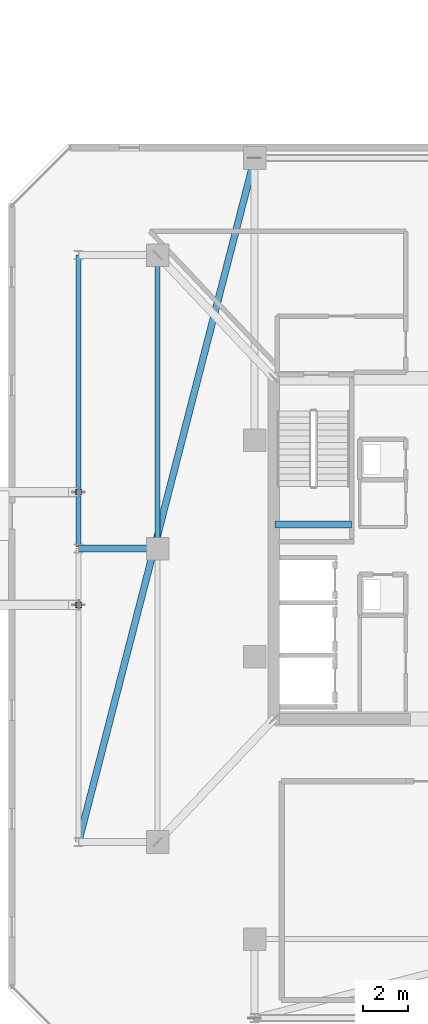
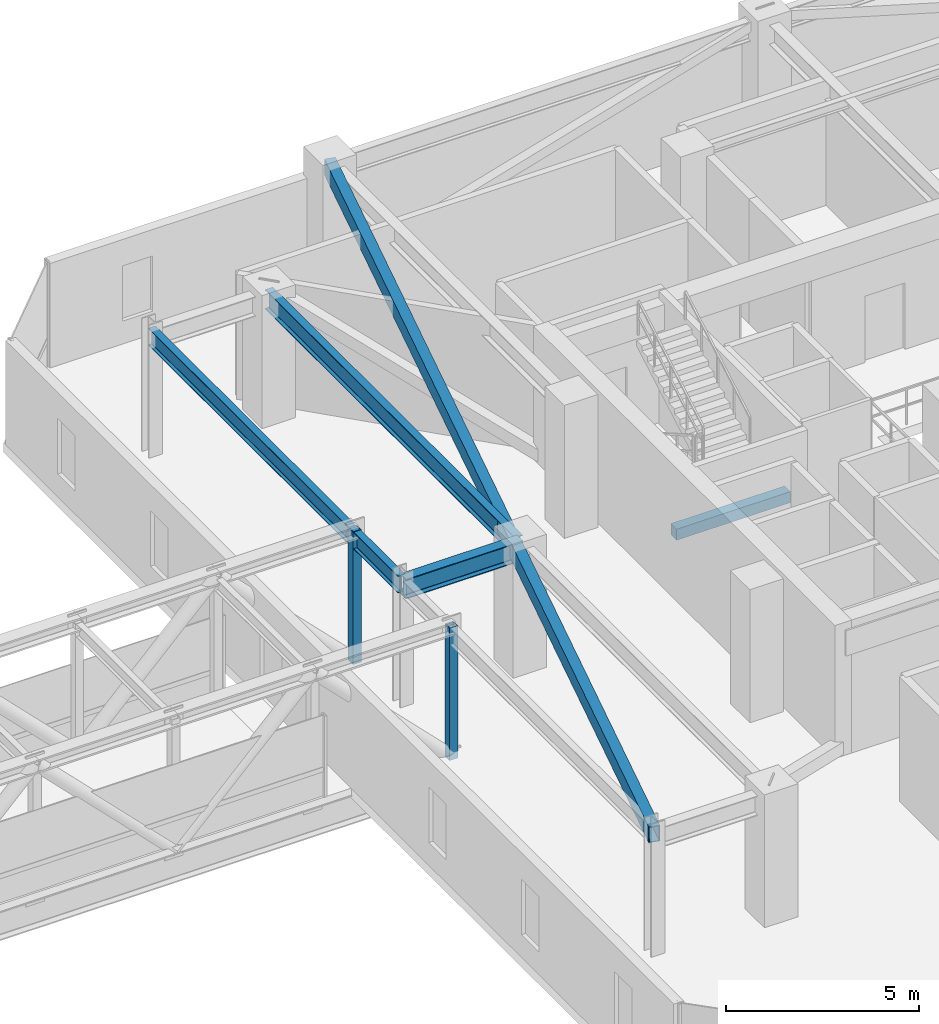
# One storey, part 20 of 42: 5 beams, 2 members.
"""IFC4 building model written with IfcOpenShell, lengths in metres."""

from ifc_helpers import new_model, si_unit, direction, frame, origin, origin_2d, place, context, subcontext, project, spatial, rectangle, hollow_rectangle, i_section, extrude, material, material_profile, profile_set, type_object, element, save


model = new_model("IFC4")

# Units and contexts
model_context = context("Model", 3, precision=1e-05, world=origin(), true_north=direction((0.0, 1.0)))
body_context = subcontext(model_context, "Body", "Model", "MODEL_VIEW")
ifc_project = project(units=[si_unit("LENGTHUNIT", "METRE"), si_unit("AREAUNIT", "SQUARE_METRE"), si_unit("VOLUMEUNIT", "CUBIC_METRE"), si_unit("PLANEANGLEUNIT", "RADIAN"), si_unit("MASSUNIT", "GRAM", prefix="KILO")], contexts=[model_context])

# Site, building, storey
site_placement = place(None, origin())
site = spatial("IfcSite", under=ifc_project, at=site_placement, CompositionType="ELEMENT")
building_placement = place(site_placement, origin())
building = spatial("IfcBuilding", under=site, at=building_placement, Name="Thornwick Lancets Civic Towers", CompositionType="ELEMENT")
storey_placement = place(building_placement, frame((0.0, 0.0, 221.699951171875)))
storey = spatial("IfcBuildingStorey", under=building, at=storey_placement, Name="L59", CompositionType="ELEMENT", Elevation=221.699951171875)

# Beams
ifc_material_1 = material(Name="Steel S355JR", Category="steel")
ifc_material_profile_1 = material_profile(ifc_material_1, i_section(OverallWidth=0.210693359375, OverallDepth=0.53955078125, WebThickness=0.01171875, FlangeThickness=0.018798828125, FilletRadius=0.0126953125, at=origin_2d()), Name="UKB 533x210x109")
ifc_profile_set_1 = profile_set([ifc_material_profile_1], Name="Steel S355JR")
beam_type_1 = type_object("IfcBeamType", Name="BM_EDGE_533_109", PredefinedType="SPANDREL", material=ifc_profile_set_1)
beam_1_placement = place(storey_placement, frame((67.699951171875, 27.080078125, 3.6904296875), z_axis=(0.0, 1.0, 0.0), x_axis=(-1.0, 0.0, 0.0)))
element("IfcBeam", 1, at=beam_1_placement, inside=storey, type_object=beam_type_1, Name="BM-EDGE-L59-B-S2-2", PredefinedType="SPANDREL", context=body_context, shape_type="SweptSolid", body=[
    extrude(i_section(OverallWidth=0.210693359375, OverallDepth=0.53955078125, WebThickness=0.01171875, FlangeThickness=0.018798828125, FilletRadius=0.0126953125, at=origin_2d()), origin(), (0.0, 0.0, 1.0), 12.919921875),
])
ifc_material_profile_2 = material_profile(ifc_material_1, i_section(OverallWidth=0.230224609375, OverallDepth=0.6171875, WebThickness=0.01318359375, FlangeThickness=0.022216796875, FilletRadius=0.0126953125, at=origin_2d()), Name="UKB 610x229x140")
ifc_profile_set_2 = profile_set([ifc_material_profile_2], Name="Steel S355JR")
beam_type_2 = type_object("IfcBeamType", Name="BM_GIRD_610_140", PredefinedType="BEAM", material=ifc_profile_set_2)
beam_2_placement = place(storey_placement, frame((71.199951171875, 27.080078125, 3.6513671875), z_axis=(0.0, 1.0, 0.0), x_axis=(-1.0, 0.0, 0.0)))
element("IfcBeam", 2, at=beam_2_placement, inside=storey, type_object=beam_type_2, Name="BM-SPINE-L59-B-7-8", PredefinedType="BEAM", context=body_context, shape_type="SweptSolid", body=[
    extrude(i_section(OverallWidth=0.230224609375, OverallDepth=0.6171875, WebThickness=0.01318359375, FlangeThickness=0.022216796875, FilletRadius=0.0126953125, at=origin_2d()), origin(), (0.0, 0.0, 1.0), 12.919921875),
])
ifc_material_profile_3 = material_profile(ifc_material_1, i_section(OverallWidth=0.30712890625, OverallDepth=0.6201171875, WebThickness=0.01416015625, FlangeThickness=0.023681640625, FilletRadius=0.0166015625, at=origin_2d()), Name="UKB 610x305x179")
ifc_profile_set_3 = profile_set([ifc_material_profile_3], Name="Steel S355JR")
beam_type_3 = type_object("IfcBeamType", Name="BM_GIRD_610_179", PredefinedType="BEAM", material=ifc_profile_set_3)
beam_3_placement = place(storey_placement, frame((71.199951171875, 27.0, 3.64990234375), z_axis=(-1.0, 0.0, 0.0), x_axis=(0.0, -1.0, 0.0)))
element("IfcBeam", 3, at=beam_3_placement, inside=storey, type_object=beam_type_3, Name="BM-RAD-L59-B08", PredefinedType="BEAM", context=body_context, shape_type="SweptSolid", body=[
    extrude(i_section(OverallWidth=0.30712890625, OverallDepth=0.6201171875, WebThickness=0.01416015625, FlangeThickness=0.023681640625, FilletRadius=0.0166015625, at=origin_2d()), origin(), (0.0, 0.0, 1.0), 3.5),
])
ifc_material_2 = material(Name="Steel S460M", Category="steel")
ifc_material_profile_4 = material_profile(ifc_material_2, hollow_rectangle(XDim=0.300048828125, YDim=0.5, WallThickness=0.02001953125, at=origin_2d()), Name="RHS 500x300x20")
ifc_profile_set_4 = profile_set([ifc_material_profile_4], Name="Steel S460M")
beam_type_4 = type_object("IfcBeamType", Name="BM_RING_RHS500", PredefinedType="BEAM", material=ifc_profile_set_4)
beam_4_placement = place(storey_placement, frame((75.5, 44.300048828125, 3.7099609375), z_axis=(-0.249299080716, -0.96842654257, 0.0), x_axis=(0.96842654257, -0.249299080716, 0.0)))
element("IfcBeam", 4, at=beam_4_placement, inside=storey, type_object=beam_type_4, Name="BM-CHAMF-L59-B-C1", PredefinedType="BEAM", context=body_context, shape_type="SweptSolid", body=[
    extrude(hollow_rectangle(XDim=0.300048828125, YDim=0.5, WallThickness=0.02001953125, at=origin_2d()), origin(), (0.0, 0.0, 1.0), 31.287841796875),
])
ifc_material_3 = material(Name="Concrete C40/50", Category="concrete")
ifc_material_profile_5 = material_profile(ifc_material_3, rectangle(XDim=0.300048828125, YDim=0.35009765625, at=origin_2d()), Name="RC 300x350")
ifc_profile_set_5 = profile_set([ifc_material_profile_5], Name="Concrete C40/50")
beam_type_5 = type_object("IfcBeamType", Name="BM_STAIR_LDG", PredefinedType="BEAM", material=ifc_profile_set_5)
beam_5_placement = place(storey_placement, frame((76.39990234375, 28.06494140625, 1.677978515625), z_axis=(1.0, 0.0, 0.0), x_axis=(0.0, 1.0, 0.0)))
element("IfcBeam", 5, at=beam_5_placement, inside=storey, type_object=beam_type_5, Name="L59 ST-B2 Landing Support Beam 1", PredefinedType="BEAM", context=body_context, shape_type="SweptSolid", body=[
    extrude(rectangle(XDim=0.300048828125, YDim=0.35009765625, at=origin_2d()), origin(), (0.0, 0.0, 1.0), 3.400146484375),
])

# Members
ifc_material_profile_6 = material_profile(ifc_material_2, hollow_rectangle(XDim=0.25, YDim=0.25, WallThickness=0.01611328125, at=origin_2d()), Name="SHS 250x250x16")
ifc_profile_set_6 = profile_set([ifc_material_profile_6], Name="Steel S460M")
member_type = type_object("IfcMemberType", Name="MEM_BRG_WEB_SHS250", PredefinedType="BRACE", material=ifc_profile_set_6)
for number, where, z_axis, x_axis, name in (
    (6, (67.699951171875, 24.5, -0.219970703125), (0.0, 0.0, 1.0), (1.0, 0.0, 0.0), "L59 Skybridge Truss Post 1-6"),
    (7, (67.699951171875, 29.5, -0.219970703125), (0.0, 0.0, 1.0), (1.0, 0.0, 0.0), "L59 Skybridge Truss Post 2-6"),
):
    element("IfcMember", number, at=place(storey_placement, frame(where, z_axis=z_axis, x_axis=x_axis)), inside=storey, type_object=member_type, Name=name, PredefinedType="BRACE", context=body_context, shape_type="SweptSolid", body=[
        extrude(hollow_rectangle(XDim=0.25, YDim=0.25, WallThickness=0.01611328125, at=origin_2d()), origin(), (0.0, 0.0, 1.0), 4.179931640625),
    ])

save(model, "model.ifc")
